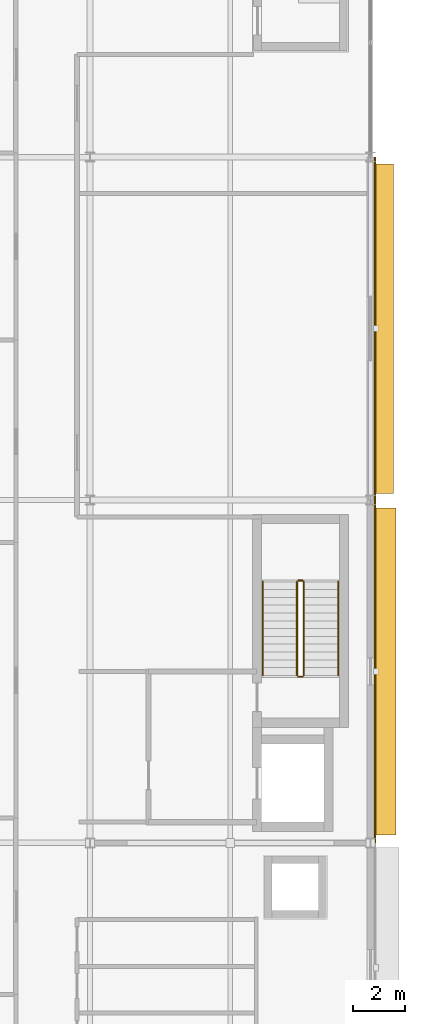
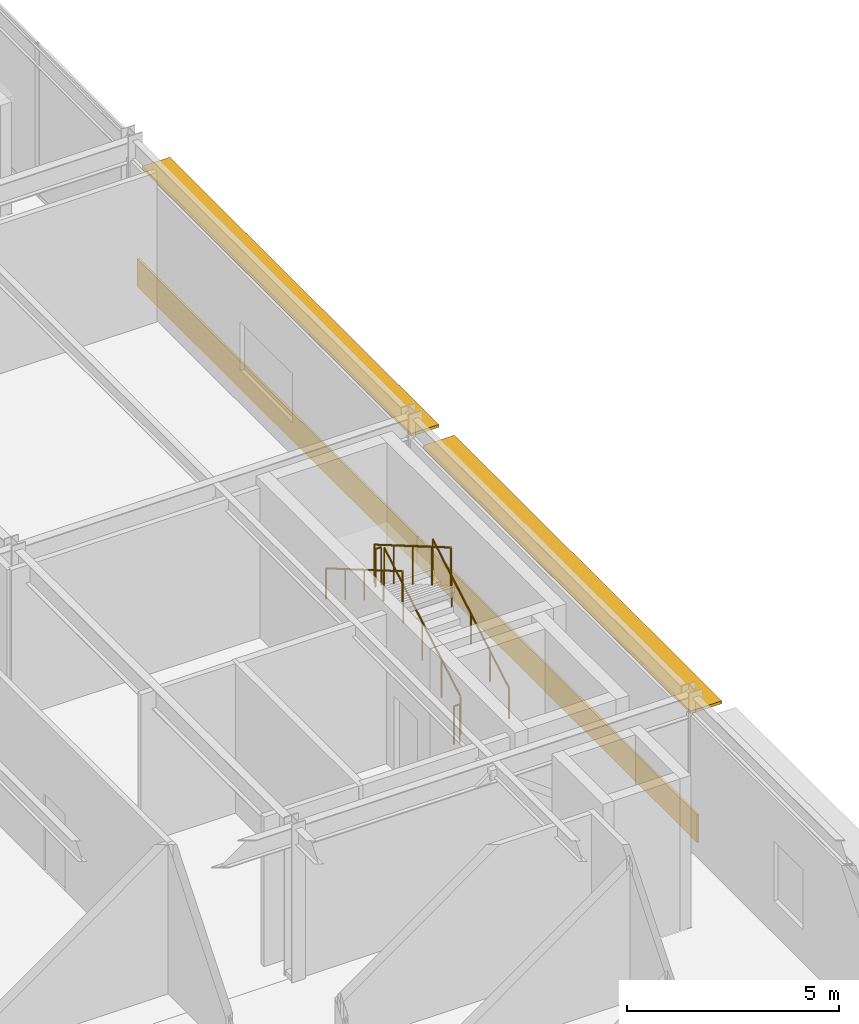
# One storey, part 49 of 50: 6 railings, 2 coverings, 2 shading devices.
"""IFC4 building model written with IfcOpenShell, lengths in metres."""

from ifc_helpers import new_model, si_unit, direction, frame, origin, origin_2d, place, context, subcontext, project, spatial, rectangle, circle, extrude, material, layer, layer_set, type_object, element, save


model = new_model("IFC4")

# Units and contexts
model_context = context("Model", 3, precision=1e-05, world=origin(), true_north=direction((0.0, 1.0)))
body_context = subcontext(model_context, "Body", "Model", "MODEL_VIEW")
ifc_project = project(units=[si_unit("LENGTHUNIT", "METRE"), si_unit("AREAUNIT", "SQUARE_METRE"), si_unit("VOLUMEUNIT", "CUBIC_METRE"), si_unit("PLANEANGLEUNIT", "RADIAN"), si_unit("MASSUNIT", "GRAM", prefix="KILO")], contexts=[model_context])

# Site, building, storey
site_placement = place(None, origin())
site = spatial("IfcSite", under=ifc_project, at=site_placement, CompositionType="ELEMENT")
building_placement = place(site_placement, origin())
building = spatial("IfcBuilding", under=site, at=building_placement, Name="Almandine Court Research Institute", CompositionType="ELEMENT")
storey_placement = place(building_placement, frame((0.0, 0.0, 23.449951171875)))
storey = spatial("IfcBuildingStorey", under=building, at=storey_placement, Name="L05", CompositionType="ELEMENT", Elevation=23.449951171875)

# Coverings
ifc_material_1 = material(Name="Extruded Cream-Ochre Seismic Terracotta Spandrel", Category="masonry")
ifc_layer_1 = layer(ifc_material_1, 0.054931640625)
ifc_layer_set_1 = layer_set([ifc_layer_1], Name="Extruded Cream-Ochre Seismic Terracotta Spandrel")
covering_type = type_object("IfcCoveringType", Name="Cov-CLAD-TERR", PredefinedType="CLADDING", material=ifc_layer_set_1)
for number, where, z_axis, x_axis, name in (
    (1, (174.1708984375, 64.199951171875, 0.02001953125), (0.0, 0.0, 1.0), (0.0, -1.0, 0.0), "L05 Facade Spandrel Cladding Band 193"),
    (2, (174.1708984375, 51.0, 0.02001953125), (0.0, 0.0, 1.0), (0.0, -1.0, 0.0), "L05 Facade Spandrel Cladding Band 194"),
):
    element("IfcCovering", number, at=place(storey_placement, frame(where, z_axis=z_axis, x_axis=x_axis)), inside=storey, type_object=covering_type, Name=name, PredefinedType="CLADDING", context=body_context, shape_type="SweptSolid", body=[
        extrude(rectangle(XDim=13.19189453125, YDim=0.054931640625, at=origin_2d()), origin(), (0.0, 0.0, 1.0), 0.800048828125),
    ])

# Railings
ifc_material_2 = material(Name="Powder-Coated Steel Stair and Atrium Balustrade", Category="steel")
railing_type_1 = type_object("IfcRailingType", Name="Rail-GUARD-INT", PredefinedType="BALUSTRADE", material=ifc_material_2)
railing_1_placement = place(storey_placement, frame((171.429931640625, 50.85009765625, 0.175048828125)))
element("IfcRailing", 3, at=railing_1_placement, inside=storey, type_object=railing_type_1, Name="L05 ST-08 stair guard 1", PredefinedType="BALUSTRADE", context=body_context, shape_type="SweptSolid", body=[
    extrude(circle(Radius=0.02392578125, at=origin_2d()), frame((0.0, 0.0, 1.09619140625), z_axis=(0.0, 0.863759778359, 0.503903805591), x_axis=(-1.0, 0.0, 0.0)), (0.0, 0.0, 1.0), 4.167724609375),
    extrude(circle(Radius=0.02099609375, at=origin_2d()), origin(), (0.0, 0.0, 1.0), 1.072021484375),
    extrude(circle(Radius=0.02099609375, at=origin_2d()), frame((0.0, 0.89990234375, 0.52490234375)), (0.0, 0.0, 1.0), 1.072021484375),
    extrude(circle(Radius=0.02099609375, at=origin_2d()), frame((0.0, 1.7998046875, 1.050048828125)), (0.0, 0.0, 1.0), 1.072021484375),
    extrude(circle(Radius=0.02099609375, at=origin_2d()), frame((0.0, 2.699951171875, 1.5751953125)), (0.0, 0.0, 1.0), 1.072021484375),
    extrude(circle(Radius=0.02099609375, at=origin_2d()), frame((0.0, 3.599853515625, 2.10009765625)), (0.0, 0.0, 1.0), 1.072021484375),
])
railing_2_placement = place(storey_placement, frame((171.3798828125, 54.5, 2.275146484375)))
element("IfcRailing", 4, at=railing_2_placement, inside=storey, type_object=railing_type_1, Name="L05 ST-08 stair guard 2", PredefinedType="BALUSTRADE", context=body_context, shape_type="SweptSolid", body=[
    extrude(circle(Radius=0.02392578125, at=origin_2d()), frame((0.0, 0.0, 1.09619140625), z_axis=(-1.0, 0.0, 0.0), x_axis=(0.0, -1.0, 0.0)), (0.0, 0.0, 1.0), 0.159912109375),
    extrude(circle(Radius=0.02099609375, at=origin_2d()), origin(), (0.0, 0.0, 1.0), 1.072021484375),
    extrude(circle(Radius=0.02099609375, at=origin_2d()), frame((-0.159912109375, 0.0, 0.0)), (0.0, 0.0, 1.0), 1.072021484375),
])
railing_3_placement = place(storey_placement, frame((171.169921875, 54.449951171875, 2.449951171875)))
element("IfcRailing", 5, at=railing_3_placement, inside=storey, type_object=railing_type_1, Name="L05 ST-08 stair guard 3", PredefinedType="BALUSTRADE", context=body_context, shape_type="SweptSolid", body=[
    extrude(circle(Radius=0.02392578125, at=origin_2d()), frame((0.0, 0.0, 1.09619140625), z_axis=(0.0, -0.863759778359, 0.503903805591), x_axis=(1.0, 0.0, 0.0)), (0.0, 0.0, 1.0), 4.167724609375),
    extrude(circle(Radius=0.02099609375, at=origin_2d()), origin(), (0.0, 0.0, 1.0), 1.072021484375),
    extrude(circle(Radius=0.02099609375, at=origin_2d()), frame((0.0, -0.89990234375, 0.52490234375)), (0.0, 0.0, 1.0), 1.072021484375),
    extrude(circle(Radius=0.02099609375, at=origin_2d()), frame((0.0, -1.7998046875, 1.050048828125)), (0.0, 0.0, 1.0), 1.072021484375),
    extrude(circle(Radius=0.02099609375, at=origin_2d()), frame((0.0, -2.699951171875, 1.5751953125)), (0.0, 0.0, 1.0), 1.072021484375),
    extrude(circle(Radius=0.02099609375, at=origin_2d()), frame((0.0, -3.599853515625, 2.10009765625)), (0.0, 0.0, 1.0), 1.072021484375),
])
railing_4_placement = place(storey_placement, frame((171.3798828125, 50.800048828125, 0.0)))
element("IfcRailing", 6, at=railing_4_placement, inside=storey, type_object=railing_type_1, Name="L05 ST-08 stair guard 4", PredefinedType="BALUSTRADE", context=body_context, shape_type="SweptSolid", body=[
    extrude(circle(Radius=0.02392578125, at=origin_2d()), frame((0.0, 0.0, 1.09619140625), z_axis=(-1.0, 0.0, 0.0), x_axis=(0.0, -1.0, 0.0)), (0.0, 0.0, 1.0), 0.159912109375),
    extrude(circle(Radius=0.02099609375, at=origin_2d()), origin(), (0.0, 0.0, 1.0), 1.072021484375),
    extrude(circle(Radius=0.02099609375, at=origin_2d()), frame((-0.159912109375, 0.0, 0.0)), (0.0, 0.0, 1.0), 1.072021484375),
])
ifc_material_3 = material(Name="Brushed Stainless Steel Wall Handrail", Category="steel")
railing_type_2 = type_object("IfcRailingType", Name="Rail-HAND-INT", PredefinedType="HANDRAIL", material=ifc_material_3)
railing_5_placement = place(storey_placement, frame((172.75, 50.85009765625, 0.175048828125)))
element("IfcRailing", 7, at=railing_5_placement, inside=storey, type_object=railing_type_2, Name="L05 ST-08 stair handrail 1", PredefinedType="HANDRAIL", context=body_context, shape_type="SweptSolid", body=[
    extrude(circle(Radius=0.02392578125, at=origin_2d()), frame((0.0, 0.0, 0.8759765625), z_axis=(0.0, 0.863759778359, 0.503903805591), x_axis=(-1.0, 0.0, 0.0)), (0.0, 0.0, 1.0), 4.167724609375),
    extrude(circle(Radius=0.02099609375, at=origin_2d()), origin(), (0.0, 0.0, 1.0), 0.851806640625),
    extrude(circle(Radius=0.02099609375, at=origin_2d()), frame((0.0, 0.89990234375, 0.52490234375)), (0.0, 0.0, 1.0), 0.851806640625),
    extrude(circle(Radius=0.02099609375, at=origin_2d()), frame((0.0, 1.7998046875, 1.050048828125)), (0.0, 0.0, 1.0), 0.851806640625),
    extrude(circle(Radius=0.02099609375, at=origin_2d()), frame((0.0, 2.699951171875, 1.5751953125)), (0.0, 0.0, 1.0), 0.851806640625),
    extrude(circle(Radius=0.02099609375, at=origin_2d()), frame((0.0, 3.599853515625, 2.10009765625)), (0.0, 0.0, 1.0), 0.851806640625),
])
railing_6_placement = place(storey_placement, frame((169.85009765625, 54.449951171875, 2.449951171875)))
element("IfcRailing", 8, at=railing_6_placement, inside=storey, type_object=railing_type_2, Name="L05 ST-08 stair handrail 2", PredefinedType="HANDRAIL", context=body_context, shape_type="SweptSolid", body=[
    extrude(circle(Radius=0.02392578125, at=origin_2d()), frame((0.0, 0.0, 0.8759765625), z_axis=(0.0, -0.863759778359, 0.503903805591), x_axis=(1.0, 0.0, 0.0)), (0.0, 0.0, 1.0), 4.167724609375),
    extrude(circle(Radius=0.02099609375, at=origin_2d()), origin(), (0.0, 0.0, 1.0), 0.851806640625),
    extrude(circle(Radius=0.02099609375, at=origin_2d()), frame((0.0, -0.89990234375, 0.52490234375)), (0.0, 0.0, 1.0), 0.851806640625),
    extrude(circle(Radius=0.02099609375, at=origin_2d()), frame((0.0, -1.7998046875, 1.050048828125)), (0.0, 0.0, 1.0), 0.851806640625),
    extrude(circle(Radius=0.02099609375, at=origin_2d()), frame((0.0, -2.699951171875, 1.5751953125)), (0.0, 0.0, 1.0), 0.851806640625),
    extrude(circle(Radius=0.02099609375, at=origin_2d()), frame((0.0, -3.599853515625, 2.10009765625)), (0.0, 0.0, 1.0), 0.851806640625),
])

# Shading devices
ifc_material_4 = material(Name="Precast GFRC Chhajja Sunshade and Acoustic Louvre", Category="concrete")
ifc_layer_2 = layer(ifc_material_4, 0.080078125)
ifc_layer_set_2 = layer_set([ifc_layer_2], Name="Precast GFRC Chhajja Sunshade and Acoustic Louvre")
shading_device_type_1 = type_object("IfcShadingDeviceType", Name="Shd-SD-47", PredefinedType="AWNING", material=ifc_layer_set_2)
shading_device_1_placement = place(storey_placement, frame((174.510009765625, 64.199951171875, 3.551025390625), z_axis=(0.0, 0.0, 1.0), x_axis=(0.0, -1.0, 0.0)))
element("IfcShadingDevice", 9, at=shading_device_1_placement, inside=storey, type_object=shading_device_type_1, Name="L05 Projecting Chhajja Sunshade 134", PredefinedType="AWNING", context=body_context, shape_type="SweptSolid", body=[
    extrude(rectangle(XDim=12.681884765625, YDim=0.75, at=origin_2d()), origin(), (0.0, 0.0, 1.0), 0.080078125),
])
ifc_layer_3 = layer(ifc_material_4, 0.080078125)
ifc_layer_set_3 = layer_set([ifc_layer_3], Name="Precast GFRC Chhajja Sunshade and Acoustic Louvre")
shading_device_type_2 = type_object("IfcShadingDeviceType", Name="Shd-SD-48", PredefinedType="AWNING", material=ifc_layer_set_3)
shading_device_2_placement = place(storey_placement, frame((174.56005859375, 51.0, 3.551025390625), z_axis=(0.0, 0.0, 1.0), x_axis=(0.0, -1.0, 0.0)))
element("IfcShadingDevice", 10, at=shading_device_2_placement, inside=storey, type_object=shading_device_type_2, Name="L05 Projecting Chhajja Sunshade 135", PredefinedType="AWNING", context=body_context, shape_type="SweptSolid", body=[
    extrude(rectangle(XDim=12.60205078125, YDim=0.85009765625, at=origin_2d()), origin(), (0.0, 0.0, 1.0), 0.080078125),
])

save(model, "model.ifc")
